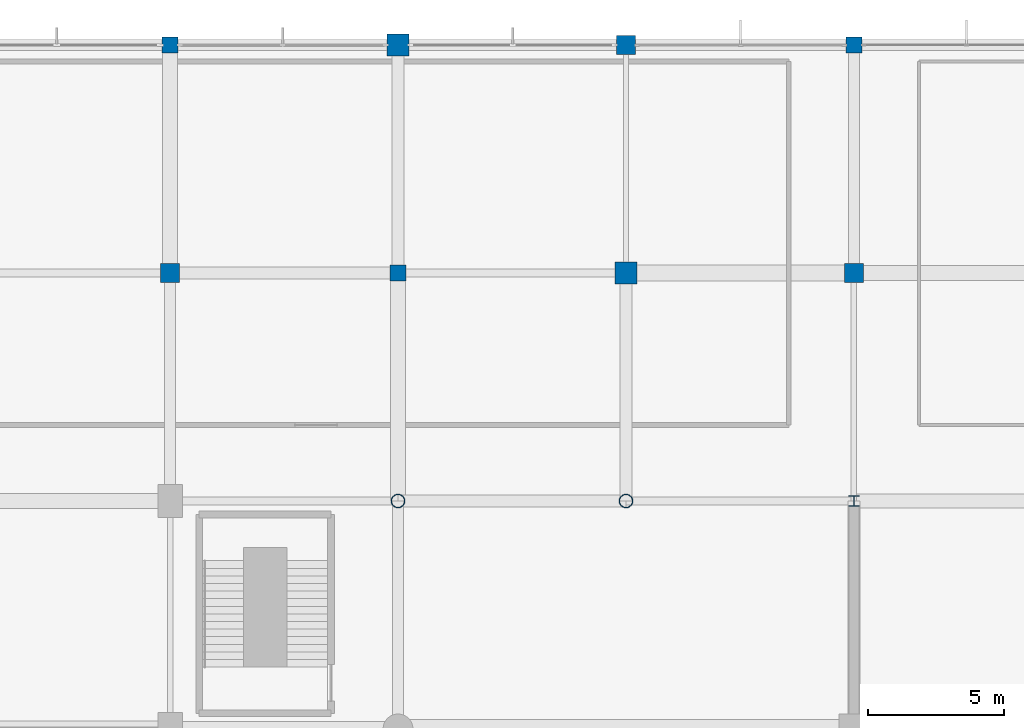
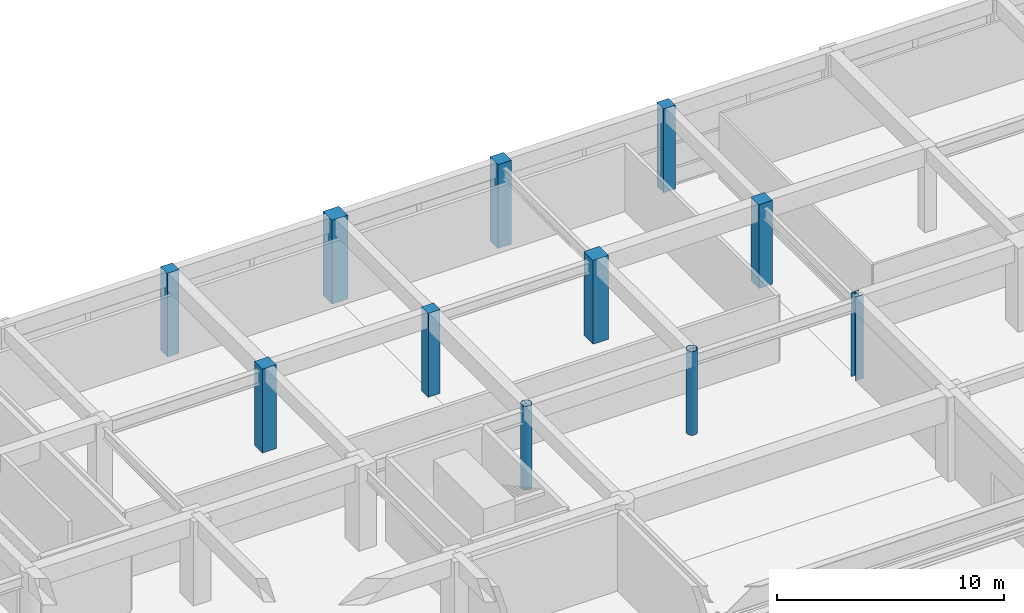
# One storey, part 6 of 56: 11 columns.
"""IFC4 building model written with IfcOpenShell, lengths in metres."""

from ifc_helpers import new_model, si_unit, direction, frame, origin, origin_2d, place, context, subcontext, project, spatial, rectangle, hollow_circle, i_section, extrude, material, material_profile, profile_set, type_object, element, save


model = new_model("IFC4")

# Units and contexts
model_context = context("Model", 3, precision=1e-05, world=origin(), true_north=direction((0.0, 1.0)))
body_context = subcontext(model_context, "Body", "Model", "MODEL_VIEW")
ifc_project = project(units=[si_unit("LENGTHUNIT", "METRE"), si_unit("AREAUNIT", "SQUARE_METRE"), si_unit("VOLUMEUNIT", "CUBIC_METRE"), si_unit("PLANEANGLEUNIT", "RADIAN"), si_unit("MASSUNIT", "GRAM", prefix="KILO")], contexts=[model_context])

# Site, building, storey
site_placement = place(None, origin())
site = spatial("IfcSite", under=ifc_project, at=site_placement, CompositionType="ELEMENT")
building_placement = place(site_placement, origin())
building = spatial("IfcBuilding", under=site, at=building_placement, Name="Xuanlan Plaza Opera House", CompositionType="ELEMENT")
storey_placement = place(building_placement, frame((0.0, 0.0, 18.89990234375)))
storey = spatial("IfcBuildingStorey", under=building, at=storey_placement, Name="L04", CompositionType="ELEMENT", Elevation=18.89990234375)

# Columns
ifc_material_1 = material(Name="Concrete C40", Category="concrete")
ifc_material_profile_1 = material_profile(ifc_material_1, rectangle(XDim=0.800048828125, YDim=0.800048828125, at=origin_2d()), Name="RC-COL 800x800")
ifc_profile_set_1 = profile_set([ifc_material_profile_1], Name="Concrete C40")
column_type_1 = type_object("IfcColumnType", Name="STR-COL-C-06", PredefinedType="COLUMN", material=ifc_profile_set_1)
for number, where, z_axis, x_axis, name in (
    (1, (109.199951171875, 100.800048828125, 0.0), (0.0, 0.0, 1.0), (1.0, 0.0, 0.0), "Column L04 14-M"),
    (2, (117.60009765625, 92.39990234375, 0.0), (0.0, 0.0, 1.0), (1.0, 0.0, 0.0), "Column L04 15-L"),
):
    element("IfcColumn", number, at=place(storey_placement, frame(where, z_axis=z_axis, x_axis=x_axis)), inside=storey, type_object=column_type_1, Name=name, PredefinedType="COLUMN", context=body_context, shape_type="SweptSolid", body=[
        extrude(rectangle(XDim=0.800048828125, YDim=0.800048828125, at=origin_2d()), origin(), (0.0, 0.0, 1.0), 4.5),
    ])
ifc_material_profile_2 = material_profile(ifc_material_1, rectangle(XDim=0.699951171875, YDim=0.699951171875, at=origin_2d()), Name="RC-COL 700x700")
ifc_profile_set_2 = profile_set([ifc_material_profile_2], Name="Concrete C40")
column_type_2 = type_object("IfcColumnType", Name="STR-COL-C-07", PredefinedType="COLUMN", material=ifc_profile_set_2)
for number, where, z_axis, x_axis, name in (
    (3, (100.800048828125, 92.39990234375, 0.0), (0.0, 0.0, 1.0), (1.0, 0.0, 0.0), "Column L04 13-L"),
    (4, (117.60009765625, 100.800048828125, 0.0), (0.0, 0.0, 1.0), (1.0, 0.0, 0.0), "Column L04 15-M"),
    (5, (126.0, 92.39990234375, 0.0), (0.0, 0.0, 1.0), (1.0, 0.0, 0.0), "Column L04 16-L"),
):
    element("IfcColumn", number, at=place(storey_placement, frame(where, z_axis=z_axis, x_axis=x_axis)), inside=storey, type_object=column_type_2, Name=name, PredefinedType="COLUMN", context=body_context, shape_type="SweptSolid", body=[
        extrude(rectangle(XDim=0.699951171875, YDim=0.699951171875, at=origin_2d()), origin(), (0.0, 0.0, 1.0), 4.5),
    ])
ifc_material_profile_3 = material_profile(ifc_material_1, rectangle(XDim=0.60009765625, YDim=0.60009765625, at=origin_2d()), Name="RC-COL 600x600")
ifc_profile_set_3 = profile_set([ifc_material_profile_3], Name="Concrete C40")
column_type_3 = type_object("IfcColumnType", Name="STR-COL-C-08", PredefinedType="COLUMN", material=ifc_profile_set_3)
for number, where, z_axis, x_axis, name in (
    (6, (100.800048828125, 100.800048828125, 0.0), (0.0, 0.0, 1.0), (1.0, 0.0, 0.0), "Column L04 13-M"),
    (7, (109.199951171875, 92.39990234375, 0.0), (0.0, 0.0, 1.0), (1.0, 0.0, 0.0), "Column L04 14-L"),
    (8, (126.0, 100.800048828125, 0.0), (0.0, 0.0, 1.0), (1.0, 0.0, 0.0), "Column L04 16-M"),
):
    element("IfcColumn", number, at=place(storey_placement, frame(where, z_axis=z_axis, x_axis=x_axis)), inside=storey, type_object=column_type_3, Name=name, PredefinedType="COLUMN", context=body_context, shape_type="SweptSolid", body=[
        extrude(rectangle(XDim=0.60009765625, YDim=0.60009765625, at=origin_2d()), origin(), (0.0, 0.0, 1.0), 4.5),
    ])
ifc_material_2 = material(Name="Steel Q355B", Category="steel")
ifc_material_profile_4 = material_profile(ifc_material_2, i_section(OverallWidth=0.39990234375, OverallDepth=0.39990234375, WebThickness=0.012939453125, FlangeThickness=0.02099609375, FilletRadius=0.02197265625, at=origin_2d()), Name="HW 400x400x13x21")
ifc_profile_set_4 = profile_set([ifc_material_profile_4], Name="Steel Q355B")
column_type_4 = type_object("IfcColumnType", Name="STR-COL-C-14", PredefinedType="COLUMN", material=ifc_profile_set_4)
column_placement = place(storey_placement, frame((126.0, 84.0, 0.0), z_axis=(0.0, 0.0, 1.0), x_axis=(1.0, 0.0, 0.0)))
element("IfcColumn", 9, at=column_placement, inside=storey, type_object=column_type_4, Name="Column L04 16-K", PredefinedType="COLUMN", context=body_context, shape_type="SweptSolid", body=[
    extrude(i_section(OverallWidth=0.39990234375, OverallDepth=0.39990234375, WebThickness=0.012939453125, FlangeThickness=0.02099609375, FilletRadius=0.02197265625, at=origin_2d()), origin(), (0.0, 0.0, 1.0), 4.5),
])
ifc_material_profile_5 = material_profile(ifc_material_2, hollow_circle(Radius=0.25390625, WallThickness=0.02001953125, at=origin_2d()), Name="CHS 508x20")
ifc_profile_set_5 = profile_set([ifc_material_profile_5], Name="Steel Q355B")
column_type_5 = type_object("IfcColumnType", Name="STR-COL-C-16", PredefinedType="COLUMN", material=ifc_profile_set_5)
for number, where, z_axis, x_axis, name in (
    (10, (109.199951171875, 84.0, 0.0), (0.0, 0.0, 1.0), (1.0, 0.0, 0.0), "Column L04 14-K"),
    (11, (117.60009765625, 84.0, 0.0), (0.0, 0.0, 1.0), (1.0, 0.0, 0.0), "Column L04 15-K"),
):
    element("IfcColumn", number, at=place(storey_placement, frame(where, z_axis=z_axis, x_axis=x_axis)), inside=storey, type_object=column_type_5, Name=name, PredefinedType="COLUMN", context=body_context, shape_type="SweptSolid", body=[
        extrude(hollow_circle(Radius=0.25390625, WallThickness=0.02001953125, at=origin_2d()), origin(), (0.0, 0.0, 1.0), 4.5),
    ])

save(model, "model.ifc")
